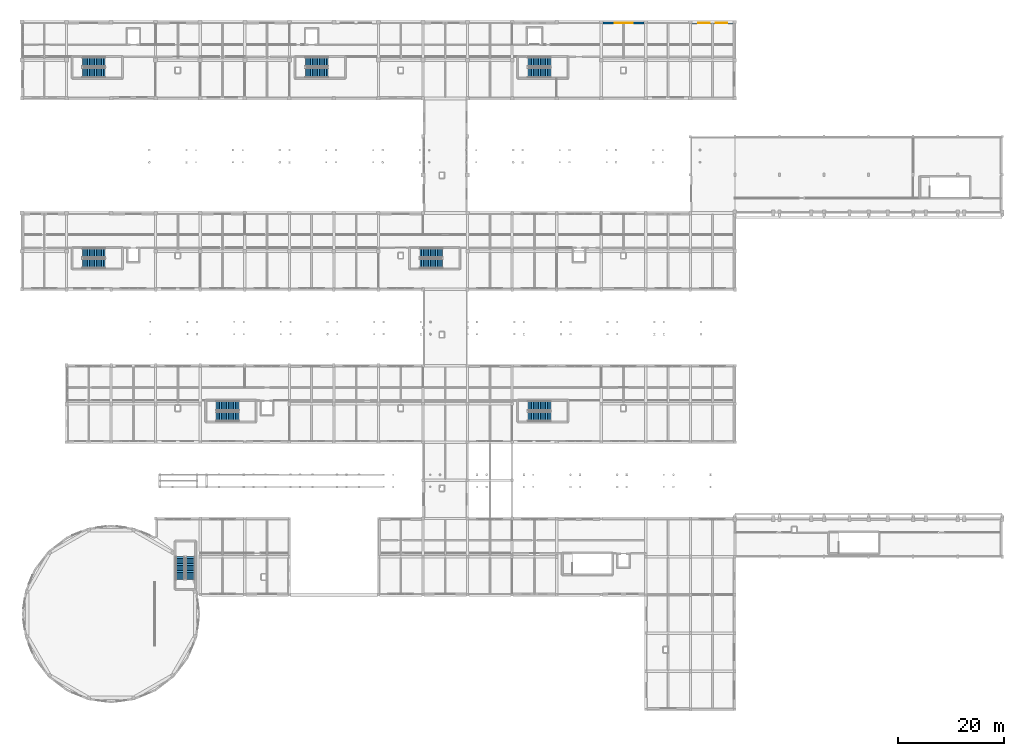
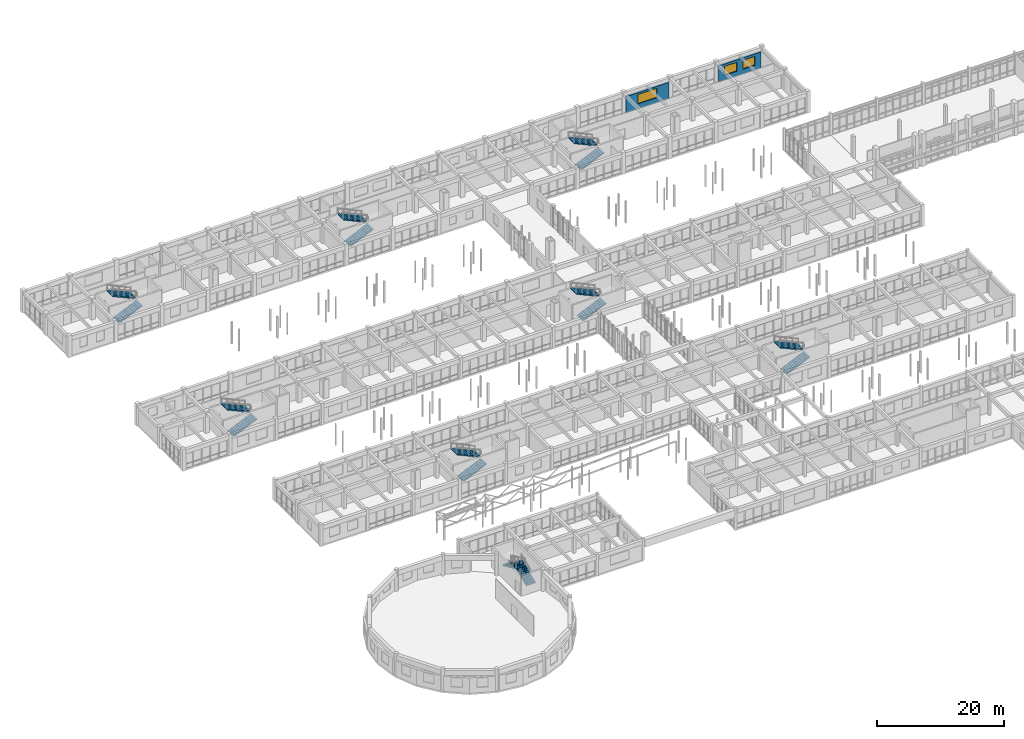
# One storey, part 139 of 147: 16 stair flights, 3 windows, 2 walls, 3 openings, 8 elements without a shape of their own.
"""IFC4 building model written with IfcOpenShell, lengths in metres."""

import ifcopenshell
import ifcopenshell.guid

model = None  # the IFC model being written
_history = None  # IfcOwnerHistory: only IFC2X3 demands one
_inside = {}  # id of a spatial element -> (the spatial element, [elements in it])
_under = {}  # id of a project, library or spatial element -> (it, [spatial elements below it])
_declared = {}  # id of a project -> (the project, [libraries it declares])
_typed = {}  # id of a type object -> (the type object, [elements of that type])
_made_of = {}  # id of a material, layer set ... -> (it, [elements and type objects made of it])


def new_model(schema):
    """Start an empty IFC model of exactly this schema.

    Asked for "IFC4X3", IfcOpenShell would pick the latest addendum, in which some entities
    have other attributes; the version numbers below select the first issue.
    IFC2X3 requires an IfcOwnerHistory on every rooted entity: one is made here for all.
    """
    global model, _history
    if schema == "IFC4X3":
        model = ifcopenshell.file(schema_version=(4, 3, 0, 0))
    else:
        model = ifcopenshell.file(schema=schema)
    _inside.clear()
    _under.clear()
    _declared.clear()
    _typed.clear()
    _made_of.clear()
    _history = None
    if model.schema == "IFC2X3":
        org = make("IfcOrganization", Name="unknown")
        user = make(
            "IfcPersonAndOrganization",
            ThePerson=make("IfcPerson", FamilyName="unknown"),
            TheOrganization=org,
        )
        app = make(
            "IfcApplication",
            ApplicationDeveloper=org,
            Version="unknown",
            ApplicationFullName="unknown",
            ApplicationIdentifier="unknown",
        )
        _history = make(
            "IfcOwnerHistory",
            OwningUser=user,
            OwningApplication=app,
            ChangeAction="ADDED",
            CreationDate=0,
        )
    return model


def make(cls, **values):
    """One entity of the class cls with the attributes given. An attribute that is None is left unset."""
    return model.create_entity(
        cls, **{name: value for name, value in values.items() if value is not None}
    )


def rooted(cls, **values):
    """An entity with a GlobalId (a new one), such as an element, a storey or a relation."""
    return make(cls, GlobalId=ifcopenshell.guid.new(), OwnerHistory=_history, **values)


def si_unit(unit_type, name, prefix=None):
    """IfcSIUnit, for example si_unit("LENGTHUNIT", "METRE", prefix="MILLI")."""
    return make("IfcSIUnit", UnitType=unit_type, Prefix=prefix, Name=name)


def assignment(units):
    """IfcUnitAssignment: the units of a project."""
    return None if units is None else make("IfcUnitAssignment", Units=units)


def point(xyz):
    """IfcCartesianPoint."""
    return None if xyz is None else make("IfcCartesianPoint", Coordinates=xyz)


def direction(xyz):
    """IfcDirection."""
    return None if xyz is None else make("IfcDirection", DirectionRatios=xyz)


def frame(location, z_axis=None, x_axis=None):
    """IfcAxis2Placement3D, a coordinate frame: its origin and axes. An axis left out is left unset."""
    return make(
        "IfcAxis2Placement3D",
        Location=point(location),
        Axis=direction(z_axis),
        RefDirection=direction(x_axis),
    )


def frame_2d(location, x_axis=None):
    """IfcAxis2Placement2D, a coordinate frame in the plane: its origin and x axis."""
    return make(
        "IfcAxis2Placement2D", Location=point(location), RefDirection=direction(x_axis)
    )


def origin():
    """The frame at (0, 0, 0) with its axes left unset."""
    return frame((0.0, 0.0, 0.0))


def place(relative_to, where):
    """IfcLocalPlacement: puts the frame where relative to a parent placement (None: the world)."""
    return make(
        "IfcLocalPlacement", PlacementRelTo=relative_to, RelativePlacement=where
    )


def context(
    kind, dimensions, precision=None, world=None, true_north=None, identifier=None
):
    """IfcGeometricRepresentationContext, for example the 3D "Model" context."""
    return make(
        "IfcGeometricRepresentationContext",
        ContextIdentifier=identifier,
        ContextType=kind,
        CoordinateSpaceDimension=dimensions,
        Precision=precision,
        WorldCoordinateSystem=world,
        TrueNorth=true_north,
    )


def subcontext(parent, identifier, kind, view, scale=None):
    """IfcGeometricRepresentationSubContext, for example "Body" below "Model"."""
    return make(
        "IfcGeometricRepresentationSubContext",
        ContextIdentifier=identifier,
        ContextType=kind,
        ParentContext=parent,
        TargetScale=scale,
        TargetView=view,
    )


def project(units=None, contexts=None):
    """IfcProject with its units and contexts."""
    return rooted(
        "IfcProject",
        Name="project",
        RepresentationContexts=contexts,
        UnitsInContext=assignment(units),
    )


def spatial(cls, under=None, at=None, **own):
    """A site, building, storey or space (cls), placed at a placement, below another one or the project."""
    s = rooted(cls, ObjectPlacement=at, **own)
    if under is not None:
        _under.setdefault(under.id(), (under, []))[1].append(s)
    return s


def polyline(points):
    """IfcPolyline through the points."""
    return make("IfcPolyline", Points=[point(p) for p in points])


def profile(cls, at=None, kind="AREA", **sizes):
    """A parametric profile (cls). Its sizes go by their IFC names, for example OverallWidth=200.0."""
    return make(cls, ProfileType=kind, Position=at, **sizes)


def rectangle(**sizes):
    """IfcRectangleProfileDef."""
    return profile("IfcRectangleProfileDef", **sizes)


def outline(outer, holes=None, kind="AREA"):
    """IfcArbitraryClosedProfileDef: a profile drawn as a closed curve; with holes, ...WithVoids."""
    if holes is None:
        return make("IfcArbitraryClosedProfileDef", ProfileType=kind, OuterCurve=outer)
    return make(
        "IfcArbitraryProfileDefWithVoids",
        ProfileType=kind,
        OuterCurve=outer,
        InnerCurves=holes,
    )


def extrude(swept, where, along, depth):
    """IfcExtrudedAreaSolid: the profile swept, set in the frame where, extruded along a direction by depth."""
    return make(
        "IfcExtrudedAreaSolid",
        SweptArea=swept,
        Position=where,
        ExtrudedDirection=direction(along),
        Depth=depth,
    )


def shape(context_of_items, identifier, shape_type, items):
    """IfcShapeRepresentation: the items that make up one representation, for example the "Body"."""
    return make(
        "IfcShapeRepresentation",
        ContextOfItems=context_of_items,
        RepresentationIdentifier=identifier,
        RepresentationType=shape_type,
        Items=items,
    )


def material(Name=None, Category=None):
    """IfcMaterial."""
    return make("IfcMaterial", Name=Name, Category=Category)


def layer(
    of_material, thickness, ventilated=None, Name=None, Category=None, Priority=None
):
    """IfcMaterialLayer: one layer of a wall or slab, of a material (None: an air gap)."""
    return make(
        "IfcMaterialLayer",
        Material=of_material,
        LayerThickness=thickness,
        IsVentilated=ventilated,
        Name=Name,
        Category=Category,
        Priority=Priority,
    )


def layer_set(layers, Name=None):
    """IfcMaterialLayerSet."""
    return make("IfcMaterialLayerSet", MaterialLayers=layers, LayerSetName=Name)


def made_of(thing, what):
    """Note that an element or type object is made of a material, layer set ...; save() writes the relation."""
    if what is not None:
        _made_of.setdefault(what.id(), (what, []))[1].append(thing)
    return thing


def type_object(cls, material=None, **own):
    """A type object (cls), such as IfcWallType, which elements share."""
    return made_of(rooted(cls, **own), material)


def element(
    cls,
    number,
    at=None,
    inside=None,
    cuts=None,
    type_object=None,
    material=None,
    context=None,
    identifier="Body",
    shape_type=None,
    held_by="IfcProductDefinitionShape",
    body=None,
    shapes=None,
    **own,
):
    """One element of the class cls, such as IfcWall. Its Tag is "e" and its number.

    at: its placement. inside: the storey or other place that contains it. cuts: it is an
    opening in that element (IfcRelVoidsElement). A single representation is given by context,
    identifier, shape_type and body (its items); several are given by shapes. held_by: the class
    of the entity that holds the representations. save() writes the other relations.
    """
    e = rooted(cls, Tag="e%d" % number, ObjectPlacement=at, **own)
    if body is not None:
        shapes = [shape(context, identifier, shape_type, body)]
    if shapes is not None:
        e.Representation = make(held_by, Representations=shapes)
    if inside is not None:
        _inside.setdefault(inside.id(), (inside, []))[1].append(e)
    if cuts is not None:
        rooted(
            "IfcRelVoidsElement", RelatingBuildingElement=cuts, RelatedOpeningElement=e
        )
    if type_object is not None:
        _typed.setdefault(type_object.id(), (type_object, []))[1].append(e)
    return made_of(e, material)


def fill(opening, filler):
    """IfcRelFillsElement: the door or window that sits in an opening."""
    return rooted(
        "IfcRelFillsElement",
        RelatingOpeningElement=opening,
        RelatedBuildingElement=filler,
    )


def aggregate(whole, parts):
    """IfcRelAggregates: a whole, such as a stair, and the parts it consists of."""
    return rooted("IfcRelAggregates", RelatingObject=whole, RelatedObjects=parts)


def save(model, path):
    """Write the relations noted so far, then the file.

    IfcRelAggregates (storeys below a building ...), IfcRelContainedInSpatialStructure (elements
    in a storey), IfcRelDefinesByType, IfcRelAssociatesMaterial and IfcRelDeclares: one each for
    every whole, place, type object, material and project.
    """
    for whole, parts in _under.values():
        aggregate(whole, parts)
    for where, things in _inside.values():
        rooted(
            "IfcRelContainedInSpatialStructure",
            RelatedElements=things,
            RelatingStructure=where,
        )
    for kind, things in _typed.values():
        rooted("IfcRelDefinesByType", RelatedObjects=things, RelatingType=kind)
    for what, things in _made_of.values():
        rooted("IfcRelAssociatesMaterial", RelatedObjects=things, RelatingMaterial=what)
    for by, libraries in _declared.values():
        rooted("IfcRelDeclares", RelatingContext=by, RelatedDefinitions=libraries)
    model.write(path)


model = new_model("IFC4")

# Units and contexts
model_context = context("Model", 3, precision=1e-05, world=origin(), true_north=direction((0.0, 1.0)))
body_context = subcontext(model_context, "Body", "Model", "MODEL_VIEW")
ifc_project = project(units=[si_unit("LENGTHUNIT", "METRE"), si_unit("AREAUNIT", "SQUARE_METRE"), si_unit("VOLUMEUNIT", "CUBIC_METRE"), si_unit("PLANEANGLEUNIT", "RADIAN"), si_unit("MASSUNIT", "GRAM", prefix="KILO")], contexts=[model_context])

# Site, building, storey
site_placement = place(None, origin())
site = spatial("IfcSite", under=ifc_project, at=site_placement, CompositionType="ELEMENT")
building_placement = place(site_placement, origin())
building = spatial("IfcBuilding", under=site, at=building_placement, Name="Malvenik Polytechnic", CompositionType="ELEMENT")
storey_placement = place(building_placement, frame((0.0, 0.0, 5.10009765625)))
storey = spatial("IfcBuildingStorey", under=building, at=storey_placement, Name="L01", CompositionType="ELEMENT", Elevation=5.10009765625)

# Wall, opening, window
ifc_material_1 = material(Name="Concrete C30/37", Category="concrete")
ifc_layer_1 = layer(ifc_material_1, 0.340087890625)
ifc_layer_set_1 = layer_set([ifc_layer_1], Name="Concrete C30/37")
wall_type = type_object("IfcWallType", Name="ARC-EW-340", PredefinedType="SOLIDWALL", material=ifc_layer_set_1)
wall_1_placement = place(storey_placement, frame((109.52294921875, 129.429931640625, 0.0), z_axis=(0.0, 0.0, 1.0), x_axis=(1.0, 0.0, 0.0)))
wall_1 = element("IfcWall", 1, at=wall_1_placement, inside=storey, type_object=wall_type, Name="External Facade Wall EW-02 L01 #196", PredefinedType="SOLIDWALL", context=body_context, shape_type="SweptSolid", body=[
    extrude(rectangle(XDim=7.754150390625, YDim=0.340087890625, at=frame_2d((3.876953125, 0.0))), origin(), (0.0, 0.0, 1.0), 3.10986328125),
])
opening_1_placement = place(wall_1_placement, frame((2.177001953125, 0.0, 0.949951171875)))
opening_1 = element("IfcOpeningElement", 2, at=opening_1_placement, cuts=wall_1, Name="Opening W-18", PredefinedType="OPENING", context=body_context, shape_type="SweptSolid", body=[
    extrude(rectangle(XDim=3.39990234375, YDim=1.800048828125, at=frame_2d((1.699951171875, 0.89990234375))), frame((0.0, 0.18017578125, 0.0), z_axis=(0.0, -1.0, 0.0), x_axis=(1.0, 0.0, 0.0)), (0.0, 0.0, 1.0), 0.360107421875),
])
ifc_material_2 = material(Name="Thermally broken aluminium frame with low-E double glazing", Category="aluminium")
window_type_1 = type_object("IfcWindowType", Name="ARC-WIN-W-18", PartitioningType="SINGLE_PANEL", PredefinedType="WINDOW", material=ifc_material_2)
window_1_placement = place(opening_1_placement, origin())
window_1 = element("IfcWindow", 3, at=window_1_placement, inside=storey, type_object=window_type_1, Name="Punched Window W-18 L01 #167", OverallHeight=1.800048828125, OverallWidth=3.39990234375, PartitioningType="SINGLE_PANEL", PredefinedType="WINDOW", context=body_context, shape_type="SweptSolid", body=[
    extrude(rectangle(XDim=3.39990234375, YDim=1.800048828125, at=frame_2d((1.699951171875, 0.89990234375))), frame((0.0, 0.030029296875, 0.0), z_axis=(0.0, -1.0, 0.0), x_axis=(1.0, 0.0, 0.0)), (0.0, 0.0, 1.0), 0.06005859375),
])
fill(opening_1, window_1)

# Wall, openings, windows
wall_2_placement = place(storey_placement, frame((126.322998046875, 129.429931640625, 0.0), z_axis=(0.0, 0.0, 1.0), x_axis=(1.0, 0.0, 0.0)))
wall_2 = element("IfcWall", 4, at=wall_2_placement, inside=storey, type_object=wall_type, Name="External Facade Wall EW-02 L01 #197", PredefinedType="SOLIDWALL", context=body_context, shape_type="SweptSolid", body=[
    extrude(rectangle(XDim=7.75390625, YDim=0.340087890625, at=frame_2d((3.876953125, 0.0))), origin(), (0.0, 0.0, 1.0), 3.10986328125),
])
opening_2_placement = place(wall_2_placement, frame((1.117919921875, 0.0, 0.949951171875)))
opening_2 = element("IfcOpeningElement", 5, at=opening_2_placement, cuts=wall_2, Name="Opening W-19", PredefinedType="OPENING", context=body_context, shape_type="SweptSolid", body=[
    extrude(rectangle(XDim=2.199951171875, YDim=1.699951171875, at=frame_2d((1.10009765625, 0.85009765625))), frame((0.0, 0.18017578125, 0.0), z_axis=(0.0, -1.0, 0.0), x_axis=(1.0, 0.0, 0.0)), (0.0, 0.0, 1.0), 0.360107421875),
])
opening_3_placement = place(wall_2_placement, frame((4.43603515625, 0.0, 0.949951171875)))
opening_3 = element("IfcOpeningElement", 6, at=opening_3_placement, cuts=wall_2, Name="Opening W-19", PredefinedType="OPENING", context=body_context, shape_type="SweptSolid", body=[
    extrude(rectangle(XDim=2.199951171875, YDim=1.699951171875, at=frame_2d((1.10009765625, 0.85009765625))), frame((0.0, 0.18017578125, 0.0), z_axis=(0.0, -1.0, 0.0), x_axis=(1.0, 0.0, 0.0)), (0.0, 0.0, 1.0), 0.360107421875),
])
window_type_2 = type_object("IfcWindowType", Name="ARC-WIN-W-19", PartitioningType="SINGLE_PANEL", PredefinedType="WINDOW", material=ifc_material_2)
window_2_placement = place(opening_2_placement, origin())
window_2 = element("IfcWindow", 7, at=window_2_placement, inside=storey, type_object=window_type_2, Name="Punched Window W-19 L01 #168", OverallHeight=1.699951171875, OverallWidth=2.199951171875, PartitioningType="SINGLE_PANEL", PredefinedType="WINDOW", context=body_context, shape_type="SweptSolid", body=[
    extrude(rectangle(XDim=2.199951171875, YDim=1.699951171875, at=frame_2d((1.10009765625, 0.85009765625))), frame((0.0, 0.030029296875, 0.0), z_axis=(0.0, -1.0, 0.0), x_axis=(1.0, 0.0, 0.0)), (0.0, 0.0, 1.0), 0.06005859375),
])
fill(opening_2, window_2)
window_3_placement = place(opening_3_placement, origin())
window_3 = element("IfcWindow", 8, at=window_3_placement, inside=storey, type_object=window_type_2, Name="Punched Window W-19 L01 #169", OverallHeight=1.699951171875, OverallWidth=2.199951171875, PartitioningType="SINGLE_PANEL", PredefinedType="WINDOW", context=body_context, shape_type="SweptSolid", body=[
    extrude(rectangle(XDim=2.199951171875, YDim=1.699951171875, at=frame_2d((1.10009765625, 0.85009765625))), frame((0.0, 0.030029296875, 0.0), z_axis=(0.0, -1.0, 0.0), x_axis=(1.0, 0.0, 0.0)), (0.0, 0.0, 1.0), 0.06005859375),
])
fill(opening_3, window_3)

# Stair, stair flights
ifc_material_3 = material(Name="Concrete C35/45", Category="concrete")
stair_type_1 = type_object("IfcStairType", Name="ARC-STR-ST-09", PredefinedType="HALF_TURN_STAIR", material=ifc_material_3)
stair_1_placement = place(storey_placement, origin())
stair_1 = element("IfcStair", 9, at=stair_1_placement, inside=storey, type_object=stair_type_1, Name="L01 Escape Stair ST-09", PredefinedType="HALF_TURN_STAIR")
ifc_layer_2 = layer(ifc_material_3, 0.159912109375)
ifc_layer_set_2 = layer_set([ifc_layer_2], Name="Concrete C35/45")
stair_flight_type_1 = type_object("IfcStairFlightType", Name="ARC-SFL-SFL-170A", PredefinedType="STRAIGHT", material=ifc_layer_set_2)
stair_flight_1_placement = place(storey_placement, frame((31.75, 24.5, 0.0), z_axis=(0.0, 0.0, 1.0), x_axis=(0.0, 1.0, 0.0)))
stair_flight_1 = element("IfcStairFlight", 10, at=stair_flight_1_placement, type_object=stair_flight_type_1, Name="ST-09 flight 1", NumberOfRisers=14, NumberOfTreads=13, PredefinedType="STRAIGHT", RiserHeight=0.15, TreadLength=0.33, context=body_context, shape_type="SweptSolid", body=[
    extrude(outline(polyline([(0.0, 0.0), (0.0, 0.14990234375), (0.330078125, 0.14990234375), (0.330078125, 0.300048828125), (0.659912109375, 0.300048828125), (0.659912109375, 0.449951171875), (0.989990234375, 0.449951171875), (0.989990234375, 0.60009765625), (1.320068359375, 0.60009765625), (1.320068359375, 0.75), (1.64990234375, 0.75), (1.64990234375, 0.89990234375), (1.97998046875, 0.89990234375), (1.97998046875, 1.050048828125), (2.31005859375, 1.050048828125), (2.31005859375, 1.199951171875), (2.639892578125, 1.199951171875), (2.639892578125, 1.35009765625), (2.969970703125, 1.35009765625), (2.969970703125, 1.5), (3.300048828125, 1.5), (3.300048828125, 1.64990234375), (3.6298828125, 1.64990234375), (3.6298828125, 1.800048828125), (3.9599609375, 1.800048828125), (3.9599609375, 1.949951171875), (4.2900390625, 1.949951171875), (4.2900390625, 2.10009765625), (4.2900390625, 1.7744140625), (0.386474609375, 0.0), (0.0, 0.0)])), frame((0.0, 0.85009765625, 0.0), z_axis=(0.0, -1.0, 0.0), x_axis=(1.0, 0.0, 0.0)), (0.0, 0.0, 1.0), 1.699951171875),
])
stair_flight_2_placement = place(storey_placement, frame((29.85009765625, 28.7900390625, 2.099853515625), z_axis=(0.0, 0.0, 1.0), x_axis=(0.0, -1.0, 0.0)))
stair_flight_2 = element("IfcStairFlight", 11, at=stair_flight_2_placement, type_object=stair_flight_type_1, Name="ST-09 flight 2", NumberOfRisers=14, NumberOfTreads=13, PredefinedType="STRAIGHT", RiserHeight=0.15, TreadLength=0.33, context=body_context, shape_type="SweptSolid", body=[
    extrude(outline(polyline([(0.0, 0.0), (0.0, 0.14990234375), (0.330078125, 0.14990234375), (0.330078125, 0.300048828125), (0.659912109375, 0.300048828125), (0.659912109375, 0.449951171875), (0.989990234375, 0.449951171875), (0.989990234375, 0.60009765625), (1.320068359375, 0.60009765625), (1.320068359375, 0.75), (1.64990234375, 0.75), (1.64990234375, 0.89990234375), (1.97998046875, 0.89990234375), (1.97998046875, 1.050048828125), (2.31005859375, 1.050048828125), (2.31005859375, 1.199951171875), (2.639892578125, 1.199951171875), (2.639892578125, 1.35009765625), (2.969970703125, 1.35009765625), (2.969970703125, 1.5), (3.300048828125, 1.5), (3.300048828125, 1.64990234375), (3.6298828125, 1.64990234375), (3.6298828125, 1.800048828125), (3.9599609375, 1.800048828125), (3.9599609375, 1.949951171875), (4.2900390625, 1.949951171875), (4.2900390625, 2.10009765625), (4.2900390625, 1.7744140625), (0.386474609375, 0.0), (0.0, 0.0)])), frame((0.0, 0.85009765625, 0.0), z_axis=(0.0, -1.0, 0.0), x_axis=(1.0, 0.0, 0.0)), (0.0, 0.0, 1.0), 1.699951171875),
])
aggregate(stair_1, [stair_flight_1, stair_flight_2])

stair_type_2 = type_object("IfcStairType", Name="ARC-STR-ST-01", PredefinedType="HALF_TURN_STAIR", material=ifc_material_3)
stair_2_placement = place(storey_placement, origin())
stair_2 = element("IfcStair", 12, at=stair_2_placement, inside=storey, type_object=stair_type_2, Name="L01 Escape Stair ST-01", PredefinedType="HALF_TURN_STAIR")
ifc_layer_3 = layer(ifc_material_3, 0.159912109375)
ifc_layer_set_3 = layer_set([ifc_layer_3], Name="Concrete C35/45")
stair_flight_type_2 = type_object("IfcStairFlightType", Name="ARC-SFL-SFL-180A", PredefinedType="STRAIGHT", material=ifc_layer_set_3)
stair_flight_3_placement = place(storey_placement, frame((11.39990234375, 120.050048828125, 0.0), z_axis=(0.0, 0.0, 1.0), x_axis=(1.0, 0.0, 0.0)))
stair_flight_3 = element("IfcStairFlight", 13, at=stair_flight_3_placement, type_object=stair_flight_type_2, Name="ST-01 flight 1", NumberOfRisers=14, NumberOfTreads=13, PredefinedType="STRAIGHT", RiserHeight=0.15, TreadLength=0.33, context=body_context, shape_type="SweptSolid", body=[
    extrude(outline(polyline([(0.0, 0.0), (0.0, 0.14990234375), (0.330078125, 0.14990234375), (0.330078125, 0.300048828125), (0.659912109375, 0.300048828125), (0.659912109375, 0.449951171875), (0.989990234375, 0.449951171875), (0.989990234375, 0.60009765625), (1.320068359375, 0.60009765625), (1.320068359375, 0.75), (1.64990234375, 0.75), (1.64990234375, 0.89990234375), (1.97998046875, 0.89990234375), (1.97998046875, 1.050048828125), (2.31005859375, 1.050048828125), (2.31005859375, 1.199951171875), (2.639892578125, 1.199951171875), (2.639892578125, 1.35009765625), (2.969970703125, 1.35009765625), (2.969970703125, 1.5), (3.300048828125, 1.5), (3.300048828125, 1.64990234375), (3.6298828125, 1.64990234375), (3.6298828125, 1.800048828125), (3.9599609375, 1.800048828125), (3.9599609375, 1.949951171875), (4.2900390625, 1.949951171875), (4.2900390625, 2.10009765625), (4.2900390625, 1.7744140625), (0.386474609375, 0.0), (0.0, 0.0)])), frame((0.0, 0.89990234375, 0.0), z_axis=(0.0, -1.0, 0.0), x_axis=(1.0, 0.0, 0.0)), (0.0, 0.0, 1.0), 1.800048828125),
])
stair_flight_4_placement = place(storey_placement, frame((15.68994140625, 122.050048828125, 2.099853515625), z_axis=(0.0, 0.0, 1.0), x_axis=(-1.0, 0.0, 0.0)))
stair_flight_4 = element("IfcStairFlight", 14, at=stair_flight_4_placement, type_object=stair_flight_type_2, Name="ST-01 flight 2", NumberOfRisers=14, NumberOfTreads=13, PredefinedType="STRAIGHT", RiserHeight=0.15, TreadLength=0.33, context=body_context, shape_type="SweptSolid", body=[
    extrude(outline(polyline([(0.0, 0.0), (0.0, 0.14990234375), (0.330078125, 0.14990234375), (0.330078125, 0.300048828125), (0.659912109375, 0.300048828125), (0.659912109375, 0.449951171875), (0.989990234375, 0.449951171875), (0.989990234375, 0.60009765625), (1.320068359375, 0.60009765625), (1.320068359375, 0.75), (1.64990234375, 0.75), (1.64990234375, 0.89990234375), (1.97998046875, 0.89990234375), (1.97998046875, 1.050048828125), (2.31005859375, 1.050048828125), (2.31005859375, 1.199951171875), (2.639892578125, 1.199951171875), (2.639892578125, 1.35009765625), (2.969970703125, 1.35009765625), (2.969970703125, 1.5), (3.300048828125, 1.5), (3.300048828125, 1.64990234375), (3.6298828125, 1.64990234375), (3.6298828125, 1.800048828125), (3.9599609375, 1.800048828125), (3.9599609375, 1.949951171875), (4.2900390625, 1.949951171875), (4.2900390625, 2.10009765625), (4.2900390625, 1.7744140625), (0.386474609375, 0.0), (0.0, 0.0)])), frame((0.0, 0.89990234375, 0.0), z_axis=(0.0, -1.0, 0.0), x_axis=(1.0, 0.0, 0.0)), (0.0, 0.0, 1.0), 1.800048828125),
])
aggregate(stair_2, [stair_flight_3, stair_flight_4])

stair_type_3 = type_object("IfcStairType", Name="ARC-STR-ST-03", PredefinedType="HALF_TURN_STAIR", material=ifc_material_3)
stair_3_placement = place(storey_placement, origin())
stair_3 = element("IfcStair", 15, at=stair_3_placement, inside=storey, type_object=stair_type_3, Name="L01 Escape Stair ST-03", PredefinedType="HALF_TURN_STAIR")
stair_flight_5_placement = place(storey_placement, frame((95.39990234375, 120.050048828125, 0.0), z_axis=(0.0, 0.0, 1.0), x_axis=(1.0, 0.0, 0.0)))
stair_flight_5 = element("IfcStairFlight", 16, at=stair_flight_5_placement, type_object=stair_flight_type_2, Name="ST-03 flight 1", NumberOfRisers=14, NumberOfTreads=13, PredefinedType="STRAIGHT", RiserHeight=0.15, TreadLength=0.33, context=body_context, shape_type="SweptSolid", body=[
    extrude(outline(polyline([(0.0, 0.0), (0.0, 0.14990234375), (0.330078125, 0.14990234375), (0.330078125, 0.300048828125), (0.659912109375, 0.300048828125), (0.659912109375, 0.449951171875), (0.989990234375, 0.449951171875), (0.989990234375, 0.60009765625), (1.320068359375, 0.60009765625), (1.320068359375, 0.75), (1.64990234375, 0.75), (1.64990234375, 0.89990234375), (1.97998046875, 0.89990234375), (1.97998046875, 1.050048828125), (2.31005859375, 1.050048828125), (2.31005859375, 1.199951171875), (2.639892578125, 1.199951171875), (2.639892578125, 1.35009765625), (2.969970703125, 1.35009765625), (2.969970703125, 1.5), (3.300048828125, 1.5), (3.300048828125, 1.64990234375), (3.6298828125, 1.64990234375), (3.6298828125, 1.800048828125), (3.9599609375, 1.800048828125), (3.9599609375, 1.949951171875), (4.2900390625, 1.949951171875), (4.2900390625, 2.10009765625), (4.2900390625, 1.7744140625), (0.386474609375, 0.0), (0.0, 0.0)])), frame((0.0, 0.89990234375, 0.0), z_axis=(0.0, -1.0, 0.0), x_axis=(1.0, 0.0, 0.0)), (0.0, 0.0, 1.0), 1.800048828125),
])
stair_flight_6_placement = place(storey_placement, frame((99.68994140625, 122.050048828125, 2.099853515625), z_axis=(0.0, 0.0, 1.0), x_axis=(-1.0, 0.0, 0.0)))
stair_flight_6 = element("IfcStairFlight", 17, at=stair_flight_6_placement, type_object=stair_flight_type_2, Name="ST-03 flight 2", NumberOfRisers=14, NumberOfTreads=13, PredefinedType="STRAIGHT", RiserHeight=0.15, TreadLength=0.33, context=body_context, shape_type="SweptSolid", body=[
    extrude(outline(polyline([(0.0, 0.0), (0.0, 0.14990234375), (0.330078125, 0.14990234375), (0.330078125, 0.300048828125), (0.659912109375, 0.300048828125), (0.659912109375, 0.449951171875), (0.989990234375, 0.449951171875), (0.989990234375, 0.60009765625), (1.320068359375, 0.60009765625), (1.320068359375, 0.75), (1.64990234375, 0.75), (1.64990234375, 0.89990234375), (1.97998046875, 0.89990234375), (1.97998046875, 1.050048828125), (2.31005859375, 1.050048828125), (2.31005859375, 1.199951171875), (2.639892578125, 1.199951171875), (2.639892578125, 1.35009765625), (2.969970703125, 1.35009765625), (2.969970703125, 1.5), (3.300048828125, 1.5), (3.300048828125, 1.64990234375), (3.6298828125, 1.64990234375), (3.6298828125, 1.800048828125), (3.9599609375, 1.800048828125), (3.9599609375, 1.949951171875), (4.2900390625, 1.949951171875), (4.2900390625, 2.10009765625), (4.2900390625, 1.7744140625), (0.386474609375, 0.0), (0.0, 0.0)])), frame((0.0, 0.89990234375, 0.0), z_axis=(0.0, -1.0, 0.0), x_axis=(1.0, 0.0, 0.0)), (0.0, 0.0, 1.0), 1.800048828125),
])
aggregate(stair_3, [stair_flight_5, stair_flight_6])

stair_type_4 = type_object("IfcStairType", Name="ARC-STR-ST-05", PredefinedType="HALF_TURN_STAIR", material=ifc_material_3)
stair_4_placement = place(storey_placement, origin())
stair_4 = element("IfcStair", 18, at=stair_4_placement, inside=storey, type_object=stair_type_4, Name="L01 Escape Stair ST-05", PredefinedType="HALF_TURN_STAIR")
stair_flight_7_placement = place(storey_placement, frame((75.0, 84.050048828125, 0.0), z_axis=(0.0, 0.0, 1.0), x_axis=(1.0, 0.0, 0.0)))
stair_flight_7 = element("IfcStairFlight", 19, at=stair_flight_7_placement, type_object=stair_flight_type_2, Name="ST-05 flight 1", NumberOfRisers=14, NumberOfTreads=13, PredefinedType="STRAIGHT", RiserHeight=0.15, TreadLength=0.33, context=body_context, shape_type="SweptSolid", body=[
    extrude(outline(polyline([(0.0, 0.0), (0.0, 0.14990234375), (0.330078125, 0.14990234375), (0.330078125, 0.300048828125), (0.659912109375, 0.300048828125), (0.659912109375, 0.449951171875), (0.989990234375, 0.449951171875), (0.989990234375, 0.60009765625), (1.320068359375, 0.60009765625), (1.320068359375, 0.75), (1.64990234375, 0.75), (1.64990234375, 0.89990234375), (1.97998046875, 0.89990234375), (1.97998046875, 1.050048828125), (2.31005859375, 1.050048828125), (2.31005859375, 1.199951171875), (2.639892578125, 1.199951171875), (2.639892578125, 1.35009765625), (2.969970703125, 1.35009765625), (2.969970703125, 1.5), (3.300048828125, 1.5), (3.300048828125, 1.64990234375), (3.6298828125, 1.64990234375), (3.6298828125, 1.800048828125), (3.9599609375, 1.800048828125), (3.9599609375, 1.949951171875), (4.2900390625, 1.949951171875), (4.2900390625, 2.10009765625), (4.2900390625, 1.7744140625), (0.386474609375, 0.0), (0.0, 0.0)])), frame((0.0, 0.89990234375, 0.0), z_axis=(0.0, -1.0, 0.0), x_axis=(1.0, 0.0, 0.0)), (0.0, 0.0, 1.0), 1.800048828125),
])
stair_flight_8_placement = place(storey_placement, frame((79.2900390625, 86.050048828125, 2.099853515625), z_axis=(0.0, 0.0, 1.0), x_axis=(-1.0, 0.0, 0.0)))
stair_flight_8 = element("IfcStairFlight", 20, at=stair_flight_8_placement, type_object=stair_flight_type_2, Name="ST-05 flight 2", NumberOfRisers=14, NumberOfTreads=13, PredefinedType="STRAIGHT", RiserHeight=0.15, TreadLength=0.33, context=body_context, shape_type="SweptSolid", body=[
    extrude(outline(polyline([(0.0, 0.0), (0.0, 0.14990234375), (0.330078125, 0.14990234375), (0.330078125, 0.300048828125), (0.659912109375, 0.300048828125), (0.659912109375, 0.449951171875), (0.989990234375, 0.449951171875), (0.989990234375, 0.60009765625), (1.320068359375, 0.60009765625), (1.320068359375, 0.75), (1.64990234375, 0.75), (1.64990234375, 0.89990234375), (1.97998046875, 0.89990234375), (1.97998046875, 1.050048828125), (2.31005859375, 1.050048828125), (2.31005859375, 1.199951171875), (2.639892578125, 1.199951171875), (2.639892578125, 1.35009765625), (2.969970703125, 1.35009765625), (2.969970703125, 1.5), (3.300048828125, 1.5), (3.300048828125, 1.64990234375), (3.6298828125, 1.64990234375), (3.6298828125, 1.800048828125), (3.9599609375, 1.800048828125), (3.9599609375, 1.949951171875), (4.2900390625, 1.949951171875), (4.2900390625, 2.10009765625), (4.2900390625, 1.7744140625), (0.386474609375, 0.0), (0.0, 0.0)])), frame((0.0, 0.89990234375, 0.0), z_axis=(0.0, -1.0, 0.0), x_axis=(1.0, 0.0, 0.0)), (0.0, 0.0, 1.0), 1.800048828125),
])
aggregate(stair_4, [stair_flight_7, stair_flight_8])

stair_type_5 = type_object("IfcStairType", Name="ARC-STR-ST-07", PredefinedType="HALF_TURN_STAIR", material=ifc_material_3)
stair_5_placement = place(storey_placement, origin())
stair_5 = element("IfcStair", 21, at=stair_5_placement, inside=storey, type_object=stair_type_5, Name="L01 Escape Stair ST-07", PredefinedType="HALF_TURN_STAIR")
stair_flight_9_placement = place(storey_placement, frame((95.39990234375, 55.25, 0.0), z_axis=(0.0, 0.0, 1.0), x_axis=(1.0, 0.0, 0.0)))
stair_flight_9 = element("IfcStairFlight", 22, at=stair_flight_9_placement, type_object=stair_flight_type_2, Name="ST-07 flight 1", NumberOfRisers=14, NumberOfTreads=13, PredefinedType="STRAIGHT", RiserHeight=0.15, TreadLength=0.33, context=body_context, shape_type="SweptSolid", body=[
    extrude(outline(polyline([(0.0, 0.0), (0.0, 0.14990234375), (0.330078125, 0.14990234375), (0.330078125, 0.300048828125), (0.659912109375, 0.300048828125), (0.659912109375, 0.449951171875), (0.989990234375, 0.449951171875), (0.989990234375, 0.60009765625), (1.320068359375, 0.60009765625), (1.320068359375, 0.75), (1.64990234375, 0.75), (1.64990234375, 0.89990234375), (1.97998046875, 0.89990234375), (1.97998046875, 1.050048828125), (2.31005859375, 1.050048828125), (2.31005859375, 1.199951171875), (2.639892578125, 1.199951171875), (2.639892578125, 1.35009765625), (2.969970703125, 1.35009765625), (2.969970703125, 1.5), (3.300048828125, 1.5), (3.300048828125, 1.64990234375), (3.6298828125, 1.64990234375), (3.6298828125, 1.800048828125), (3.9599609375, 1.800048828125), (3.9599609375, 1.949951171875), (4.2900390625, 1.949951171875), (4.2900390625, 2.10009765625), (4.2900390625, 1.7744140625), (0.386474609375, 0.0), (0.0, 0.0)])), frame((0.0, 0.89990234375, 0.0), z_axis=(0.0, -1.0, 0.0), x_axis=(1.0, 0.0, 0.0)), (0.0, 0.0, 1.0), 1.800048828125),
])
stair_flight_10_placement = place(storey_placement, frame((99.68994140625, 57.25, 2.099853515625), z_axis=(0.0, 0.0, 1.0), x_axis=(-1.0, 0.0, 0.0)))
stair_flight_10 = element("IfcStairFlight", 23, at=stair_flight_10_placement, type_object=stair_flight_type_2, Name="ST-07 flight 2", NumberOfRisers=14, NumberOfTreads=13, PredefinedType="STRAIGHT", RiserHeight=0.15, TreadLength=0.33, context=body_context, shape_type="SweptSolid", body=[
    extrude(outline(polyline([(0.0, 0.0), (0.0, 0.14990234375), (0.330078125, 0.14990234375), (0.330078125, 0.300048828125), (0.659912109375, 0.300048828125), (0.659912109375, 0.449951171875), (0.989990234375, 0.449951171875), (0.989990234375, 0.60009765625), (1.320068359375, 0.60009765625), (1.320068359375, 0.75), (1.64990234375, 0.75), (1.64990234375, 0.89990234375), (1.97998046875, 0.89990234375), (1.97998046875, 1.050048828125), (2.31005859375, 1.050048828125), (2.31005859375, 1.199951171875), (2.639892578125, 1.199951171875), (2.639892578125, 1.35009765625), (2.969970703125, 1.35009765625), (2.969970703125, 1.5), (3.300048828125, 1.5), (3.300048828125, 1.64990234375), (3.6298828125, 1.64990234375), (3.6298828125, 1.800048828125), (3.9599609375, 1.800048828125), (3.9599609375, 1.949951171875), (4.2900390625, 1.949951171875), (4.2900390625, 2.10009765625), (4.2900390625, 1.7744140625), (0.386474609375, 0.0), (0.0, 0.0)])), frame((0.0, 0.89990234375, 0.0), z_axis=(0.0, -1.0, 0.0), x_axis=(1.0, 0.0, 0.0)), (0.0, 0.0, 1.0), 1.800048828125),
])
aggregate(stair_5, [stair_flight_9, stair_flight_10])

stair_type_6 = type_object("IfcStairType", Name="ARC-STR-ST-02", PredefinedType="HALF_TURN_STAIR", material=ifc_material_3)
stair_6_placement = place(storey_placement, origin())
stair_6 = element("IfcStair", 24, at=stair_6_placement, inside=storey, type_object=stair_type_6, Name="L01 Escape Stair ST-02", PredefinedType="HALF_TURN_STAIR")
ifc_layer_4 = layer(ifc_material_3, 0.179931640625)
ifc_layer_set_4 = layer_set([ifc_layer_4], Name="Concrete C35/45")
stair_flight_type_3 = type_object("IfcStairFlightType", Name="ARC-SFL-SFL-180B", PredefinedType="STRAIGHT", material=ifc_layer_set_4)
stair_flight_11_placement = place(storey_placement, frame((53.39990234375, 120.050048828125, 0.0), z_axis=(0.0, 0.0, 1.0), x_axis=(1.0, 0.0, 0.0)))
stair_flight_11 = element("IfcStairFlight", 25, at=stair_flight_11_placement, type_object=stair_flight_type_3, Name="ST-02 flight 1", NumberOfRisers=14, NumberOfTreads=13, PredefinedType="STRAIGHT", RiserHeight=0.15, TreadLength=0.33, context=body_context, shape_type="SweptSolid", body=[
    extrude(outline(polyline([(0.0, 0.0), (0.0, 0.14990234375), (0.330078125, 0.14990234375), (0.330078125, 0.300048828125), (0.659912109375, 0.300048828125), (0.659912109375, 0.449951171875), (0.989990234375, 0.449951171875), (0.989990234375, 0.60009765625), (1.320068359375, 0.60009765625), (1.320068359375, 0.75), (1.64990234375, 0.75), (1.64990234375, 0.89990234375), (1.97998046875, 0.89990234375), (1.97998046875, 1.050048828125), (2.31005859375, 1.050048828125), (2.31005859375, 1.199951171875), (2.639892578125, 1.199951171875), (2.639892578125, 1.35009765625), (2.969970703125, 1.35009765625), (2.969970703125, 1.5), (3.300048828125, 1.5), (3.300048828125, 1.64990234375), (3.6298828125, 1.64990234375), (3.6298828125, 1.800048828125), (3.9599609375, 1.800048828125), (3.9599609375, 1.949951171875), (4.2900390625, 1.949951171875), (4.2900390625, 2.10009765625), (4.2900390625, 1.7744140625), (0.386474609375, 0.0), (0.0, 0.0)])), frame((0.0, 0.89990234375, 0.0), z_axis=(0.0, -1.0, 0.0), x_axis=(1.0, 0.0, 0.0)), (0.0, 0.0, 1.0), 1.800048828125),
])
stair_flight_12_placement = place(storey_placement, frame((57.68994140625, 122.050048828125, 2.099853515625), z_axis=(0.0, 0.0, 1.0), x_axis=(-1.0, 0.0, 0.0)))
stair_flight_12 = element("IfcStairFlight", 26, at=stair_flight_12_placement, type_object=stair_flight_type_3, Name="ST-02 flight 2", NumberOfRisers=14, NumberOfTreads=13, PredefinedType="STRAIGHT", RiserHeight=0.15, TreadLength=0.33, context=body_context, shape_type="SweptSolid", body=[
    extrude(outline(polyline([(0.0, 0.0), (0.0, 0.14990234375), (0.330078125, 0.14990234375), (0.330078125, 0.300048828125), (0.659912109375, 0.300048828125), (0.659912109375, 0.449951171875), (0.989990234375, 0.449951171875), (0.989990234375, 0.60009765625), (1.320068359375, 0.60009765625), (1.320068359375, 0.75), (1.64990234375, 0.75), (1.64990234375, 0.89990234375), (1.97998046875, 0.89990234375), (1.97998046875, 1.050048828125), (2.31005859375, 1.050048828125), (2.31005859375, 1.199951171875), (2.639892578125, 1.199951171875), (2.639892578125, 1.35009765625), (2.969970703125, 1.35009765625), (2.969970703125, 1.5), (3.300048828125, 1.5), (3.300048828125, 1.64990234375), (3.6298828125, 1.64990234375), (3.6298828125, 1.800048828125), (3.9599609375, 1.800048828125), (3.9599609375, 1.949951171875), (4.2900390625, 1.949951171875), (4.2900390625, 2.10009765625), (4.2900390625, 1.7744140625), (0.386474609375, 0.0), (0.0, 0.0)])), frame((0.0, 0.89990234375, 0.0), z_axis=(0.0, -1.0, 0.0), x_axis=(1.0, 0.0, 0.0)), (0.0, 0.0, 1.0), 1.800048828125),
])
aggregate(stair_6, [stair_flight_11, stair_flight_12])

stair_type_7 = type_object("IfcStairType", Name="ARC-STR-ST-04", PredefinedType="HALF_TURN_STAIR", material=ifc_material_3)
stair_7_placement = place(storey_placement, origin())
stair_7 = element("IfcStair", 27, at=stair_7_placement, inside=storey, type_object=stair_type_7, Name="L01 Escape Stair ST-04", PredefinedType="HALF_TURN_STAIR")
stair_flight_13_placement = place(storey_placement, frame((11.39990234375, 84.050048828125, 0.0), z_axis=(0.0, 0.0, 1.0), x_axis=(1.0, 0.0, 0.0)))
stair_flight_13 = element("IfcStairFlight", 28, at=stair_flight_13_placement, type_object=stair_flight_type_3, Name="ST-04 flight 1", NumberOfRisers=14, NumberOfTreads=13, PredefinedType="STRAIGHT", RiserHeight=0.15, TreadLength=0.33, context=body_context, shape_type="SweptSolid", body=[
    extrude(outline(polyline([(0.0, 0.0), (0.0, 0.14990234375), (0.330078125, 0.14990234375), (0.330078125, 0.300048828125), (0.659912109375, 0.300048828125), (0.659912109375, 0.449951171875), (0.989990234375, 0.449951171875), (0.989990234375, 0.60009765625), (1.320068359375, 0.60009765625), (1.320068359375, 0.75), (1.64990234375, 0.75), (1.64990234375, 0.89990234375), (1.97998046875, 0.89990234375), (1.97998046875, 1.050048828125), (2.31005859375, 1.050048828125), (2.31005859375, 1.199951171875), (2.639892578125, 1.199951171875), (2.639892578125, 1.35009765625), (2.969970703125, 1.35009765625), (2.969970703125, 1.5), (3.300048828125, 1.5), (3.300048828125, 1.64990234375), (3.6298828125, 1.64990234375), (3.6298828125, 1.800048828125), (3.9599609375, 1.800048828125), (3.9599609375, 1.949951171875), (4.2900390625, 1.949951171875), (4.2900390625, 2.10009765625), (4.2900390625, 1.7744140625), (0.386474609375, 0.0), (0.0, 0.0)])), frame((0.0, 0.89990234375, 0.0), z_axis=(0.0, -1.0, 0.0), x_axis=(1.0, 0.0, 0.0)), (0.0, 0.0, 1.0), 1.800048828125),
])
stair_flight_14_placement = place(storey_placement, frame((15.68994140625, 86.050048828125, 2.099853515625), z_axis=(0.0, 0.0, 1.0), x_axis=(-1.0, 0.0, 0.0)))
stair_flight_14 = element("IfcStairFlight", 29, at=stair_flight_14_placement, type_object=stair_flight_type_3, Name="ST-04 flight 2", NumberOfRisers=14, NumberOfTreads=13, PredefinedType="STRAIGHT", RiserHeight=0.15, TreadLength=0.33, context=body_context, shape_type="SweptSolid", body=[
    extrude(outline(polyline([(0.0, 0.0), (0.0, 0.14990234375), (0.330078125, 0.14990234375), (0.330078125, 0.300048828125), (0.659912109375, 0.300048828125), (0.659912109375, 0.449951171875), (0.989990234375, 0.449951171875), (0.989990234375, 0.60009765625), (1.320068359375, 0.60009765625), (1.320068359375, 0.75), (1.64990234375, 0.75), (1.64990234375, 0.89990234375), (1.97998046875, 0.89990234375), (1.97998046875, 1.050048828125), (2.31005859375, 1.050048828125), (2.31005859375, 1.199951171875), (2.639892578125, 1.199951171875), (2.639892578125, 1.35009765625), (2.969970703125, 1.35009765625), (2.969970703125, 1.5), (3.300048828125, 1.5), (3.300048828125, 1.64990234375), (3.6298828125, 1.64990234375), (3.6298828125, 1.800048828125), (3.9599609375, 1.800048828125), (3.9599609375, 1.949951171875), (4.2900390625, 1.949951171875), (4.2900390625, 2.10009765625), (4.2900390625, 1.7744140625), (0.386474609375, 0.0), (0.0, 0.0)])), frame((0.0, 0.89990234375, 0.0), z_axis=(0.0, -1.0, 0.0), x_axis=(1.0, 0.0, 0.0)), (0.0, 0.0, 1.0), 1.800048828125),
])
aggregate(stair_7, [stair_flight_13, stair_flight_14])

stair_type_8 = type_object("IfcStairType", Name="ARC-STR-ST-06", PredefinedType="HALF_TURN_STAIR", material=ifc_material_3)
stair_8_placement = place(storey_placement, origin())
stair_8 = element("IfcStair", 30, at=stair_8_placement, inside=storey, type_object=stair_type_8, Name="L01 Escape Stair ST-06", PredefinedType="HALF_TURN_STAIR")
stair_flight_15_placement = place(storey_placement, frame((36.60009765625, 55.25, 0.0), z_axis=(0.0, 0.0, 1.0), x_axis=(1.0, 0.0, 0.0)))
stair_flight_15 = element("IfcStairFlight", 31, at=stair_flight_15_placement, type_object=stair_flight_type_3, Name="ST-06 flight 1", NumberOfRisers=14, NumberOfTreads=13, PredefinedType="STRAIGHT", RiserHeight=0.15, TreadLength=0.33, context=body_context, shape_type="SweptSolid", body=[
    extrude(outline(polyline([(0.0, 0.0), (0.0, 0.14990234375), (0.330078125, 0.14990234375), (0.330078125, 0.300048828125), (0.659912109375, 0.300048828125), (0.659912109375, 0.449951171875), (0.989990234375, 0.449951171875), (0.989990234375, 0.60009765625), (1.320068359375, 0.60009765625), (1.320068359375, 0.75), (1.64990234375, 0.75), (1.64990234375, 0.89990234375), (1.97998046875, 0.89990234375), (1.97998046875, 1.050048828125), (2.31005859375, 1.050048828125), (2.31005859375, 1.199951171875), (2.639892578125, 1.199951171875), (2.639892578125, 1.35009765625), (2.969970703125, 1.35009765625), (2.969970703125, 1.5), (3.300048828125, 1.5), (3.300048828125, 1.64990234375), (3.6298828125, 1.64990234375), (3.6298828125, 1.800048828125), (3.9599609375, 1.800048828125), (3.9599609375, 1.949951171875), (4.2900390625, 1.949951171875), (4.2900390625, 2.10009765625), (4.2900390625, 1.7744140625), (0.386474609375, 0.0), (0.0, 0.0)])), frame((0.0, 0.89990234375, 0.0), z_axis=(0.0, -1.0, 0.0), x_axis=(1.0, 0.0, 0.0)), (0.0, 0.0, 1.0), 1.800048828125),
])
stair_flight_16_placement = place(storey_placement, frame((40.889892578125, 57.25, 2.099853515625), z_axis=(0.0, 0.0, 1.0), x_axis=(-1.0, 0.0, 0.0)))
stair_flight_16 = element("IfcStairFlight", 32, at=stair_flight_16_placement, type_object=stair_flight_type_3, Name="ST-06 flight 2", NumberOfRisers=14, NumberOfTreads=13, PredefinedType="STRAIGHT", RiserHeight=0.15, TreadLength=0.33, context=body_context, shape_type="SweptSolid", body=[
    extrude(outline(polyline([(0.0, 0.0), (0.0, 0.14990234375), (0.330078125, 0.14990234375), (0.330078125, 0.300048828125), (0.659912109375, 0.300048828125), (0.659912109375, 0.449951171875), (0.989990234375, 0.449951171875), (0.989990234375, 0.60009765625), (1.320068359375, 0.60009765625), (1.320068359375, 0.75), (1.64990234375, 0.75), (1.64990234375, 0.89990234375), (1.97998046875, 0.89990234375), (1.97998046875, 1.050048828125), (2.31005859375, 1.050048828125), (2.31005859375, 1.199951171875), (2.639892578125, 1.199951171875), (2.639892578125, 1.35009765625), (2.969970703125, 1.35009765625), (2.969970703125, 1.5), (3.300048828125, 1.5), (3.300048828125, 1.64990234375), (3.6298828125, 1.64990234375), (3.6298828125, 1.800048828125), (3.9599609375, 1.800048828125), (3.9599609375, 1.949951171875), (4.2900390625, 1.949951171875), (4.2900390625, 2.10009765625), (4.2900390625, 1.7744140625), (0.386474609375, 0.0), (0.0, 0.0)])), frame((0.0, 0.89990234375, 0.0), z_axis=(0.0, -1.0, 0.0), x_axis=(1.0, 0.0, 0.0)), (0.0, 0.0, 1.0), 1.800048828125),
])
aggregate(stair_8, [stair_flight_15, stair_flight_16])

save(model, "model.ifc")
